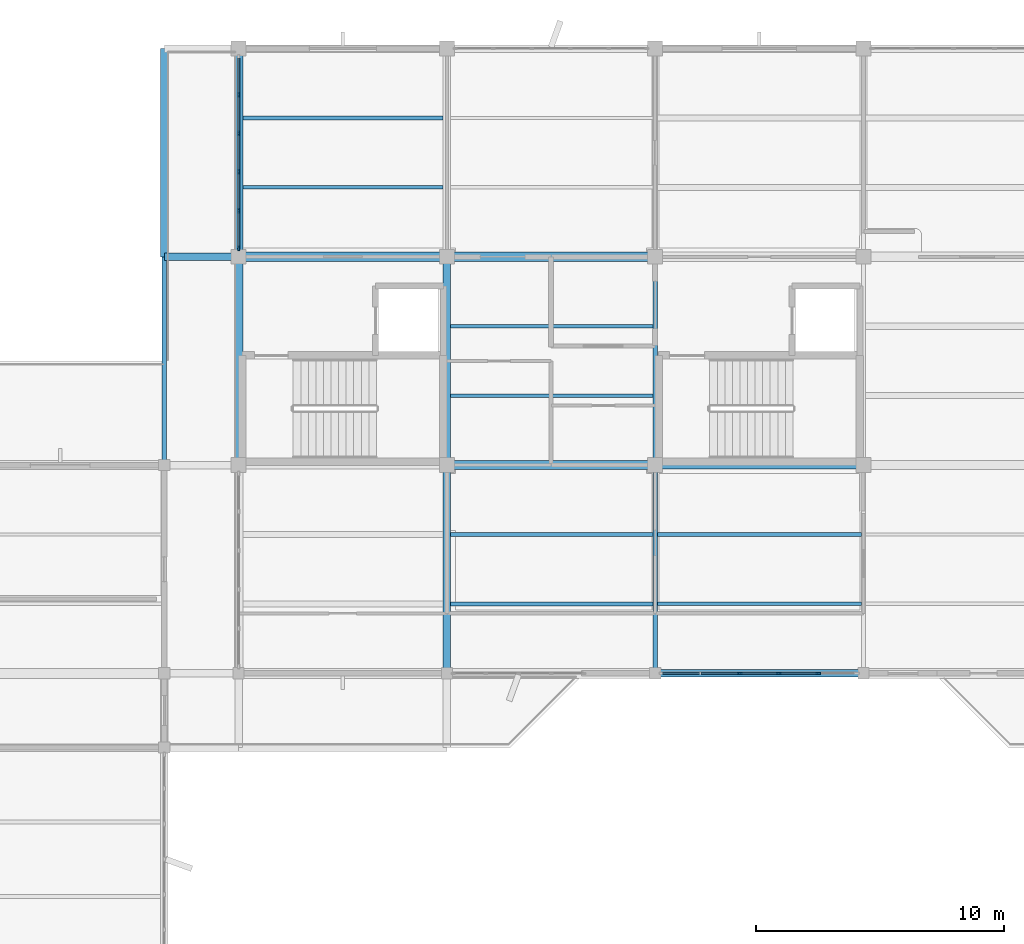
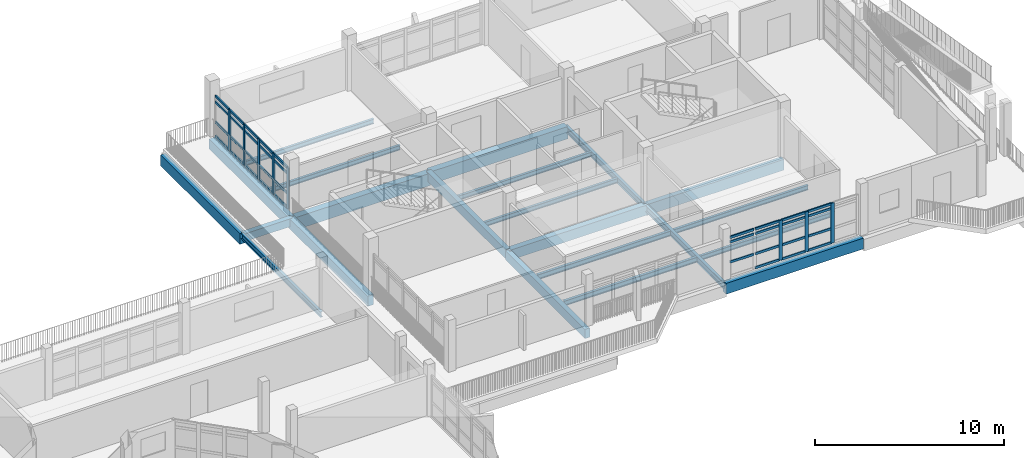
# One storey, part 11 of 33: 43 members, 22 beams, 2 elements without a shape of their own.
"""IFC4 building model written with IfcOpenShell, lengths in metres."""

from ifc_helpers import new_model, si_unit, direction, frame, origin, origin_2d, place, context, subcontext, project, spatial, rectangle, i_section, extrude, material, material_profile, profile_set, type_object, element, aggregate, save


model = new_model("IFC4")

# Units and contexts
model_context = context("Model", 3, precision=1e-05, world=origin(), true_north=direction((0.0, 1.0)))
body_context = subcontext(model_context, "Body", "Model", "MODEL_VIEW")
ifc_project = project(units=[si_unit("LENGTHUNIT", "METRE"), si_unit("AREAUNIT", "SQUARE_METRE"), si_unit("VOLUMEUNIT", "CUBIC_METRE"), si_unit("PLANEANGLEUNIT", "RADIAN"), si_unit("MASSUNIT", "GRAM", prefix="KILO")], contexts=[model_context])

# Site, building, storey
site_placement = place(None, origin())
site = spatial("IfcSite", under=ifc_project, at=site_placement, CompositionType="ELEMENT")
building_placement = place(site_placement, origin())
building = spatial("IfcBuilding", under=site, at=building_placement, Name="Vanh Quang Courtyard School", CompositionType="ELEMENT")
storey_placement = place(building_placement, frame((0.0, 0.0, 18.60009765625)))
storey = spatial("IfcBuildingStorey", under=building, at=storey_placement, Name="L05", CompositionType="ELEMENT", Elevation=18.60009765625)

# Beams
ifc_material_1 = material(Name="Concrete C35/45", Category="concrete")
ifc_material_profile_1 = material_profile(ifc_material_1, rectangle(XDim=0.300048828125, YDim=0.5, at=origin_2d()), Name="RC-BM 300x500")
ifc_profile_set_1 = profile_set([ifc_material_profile_1], Name="Concrete C35/45")
beam_type_1 = type_object("IfcBeamType", Name="BM-RC-300x500", PredefinedType="BEAM", material=ifc_profile_set_1)
beam_1_placement = place(storey_placement, frame((74.39990234375, 88.199951171875, -0.570068359375), z_axis=(1.0, 0.0, 0.0), x_axis=(0.0, 1.0, 0.0)))
element("IfcBeam", 1, at=beam_1_placement, inside=storey, type_object=beam_type_1, Name="Beam B-08 (L05)", PredefinedType="BEAM", context=body_context, shape_type="SweptSolid", body=[
    extrude(rectangle(XDim=0.300048828125, YDim=0.5, at=origin_2d()), origin(), (0.0, 0.0, 1.0), 3.0),
])
ifc_material_profile_2 = material_profile(ifc_material_1, rectangle(XDim=0.300048828125, YDim=0.60009765625, at=origin_2d()), Name="RC-BM 300x600")
ifc_profile_set_2 = profile_set([ifc_material_profile_2], Name="Concrete C35/45")
beam_type_2 = type_object("IfcBeamType", Name="BM-RC-300x600", PredefinedType="BEAM", material=ifc_profile_set_2)
beam_2_placement = place(storey_placement, frame((85.800048828125, 71.39990234375, -0.6201171875), z_axis=(0.0, 1.0, 0.0), x_axis=(-1.0, 0.0, 0.0)))
element("IfcBeam", 2, at=beam_2_placement, inside=storey, type_object=beam_type_2, Name="Beam B-06 (L05)", PredefinedType="BEAM", context=body_context, shape_type="SweptSolid", body=[
    extrude(rectangle(XDim=0.300048828125, YDim=0.60009765625, at=origin_2d()), origin(), (0.0, 0.0, 1.0), 8.400146484375),
])
beam_3_placement = place(storey_placement, frame((85.800048828125, 79.800048828125, -0.550048828125), z_axis=(0.0, 1.0, 0.0), x_axis=(-1.0, 0.0, 0.0)))
element("IfcBeam", 3, at=beam_3_placement, inside=storey, type_object=beam_type_2, Name="Beam B-06 (L05)", PredefinedType="BEAM", context=body_context, shape_type="SweptSolid", body=[
    extrude(rectangle(XDim=0.300048828125, YDim=0.60009765625, at=origin_2d()), origin(), (0.0, 0.0, 1.0), 8.39990234375),
])
ifc_material_profile_3 = material_profile(ifc_material_1, rectangle(XDim=0.35009765625, YDim=0.64990234375, at=origin_2d()), Name="RC-BM 350x650")
ifc_profile_set_3 = profile_set([ifc_material_profile_3], Name="Concrete C35/45")
beam_type_3 = type_object("IfcBeamType", Name="BM-RC-350x650", PredefinedType="BEAM", material=ifc_profile_set_3)
for number, where, z_axis, x_axis, name in (
    (4, (85.800048828125, 79.800048828125, -0.5751953125), (1.0, 0.0, 0.0), (0.0, 1.0, 0.0), "Beam B-05 (L05)"),
    (5, (77.39990234375, 79.800048828125, -0.64501953125), (0.0, 1.0, 0.0), (-1.0, 0.0, 0.0), "Beam B-05 (L05)"),
):
    element("IfcBeam", number, at=place(storey_placement, frame(where, z_axis=z_axis, x_axis=x_axis)), inside=storey, type_object=beam_type_3, Name=name, PredefinedType="BEAM", context=body_context, shape_type="SweptSolid", body=[
        extrude(rectangle(XDim=0.35009765625, YDim=0.64990234375, at=origin_2d()), origin(), (0.0, 0.0, 1.0), 8.39990234375),
    ])
beam_4_placement = place(storey_placement, frame((77.39990234375, 88.199951171875, -0.64501953125), z_axis=(0.0, 1.0, 0.0), x_axis=(-1.0, 0.0, 0.0)))
element("IfcBeam", 6, at=beam_4_placement, inside=storey, type_object=beam_type_3, Name="Beam B-05 (L05)", PredefinedType="BEAM", context=body_context, shape_type="SweptSolid", body=[
    extrude(rectangle(XDim=0.35009765625, YDim=0.64990234375, at=origin_2d()), origin(), (0.0, 0.0, 1.0), 8.400146484375),
])
ifc_material_profile_4 = material_profile(ifc_material_1, rectangle(XDim=0.39990234375, YDim=0.800048828125, at=origin_2d()), Name="RC-BM 400x800")
ifc_profile_set_4 = profile_set([ifc_material_profile_4], Name="Concrete C35/45")
beam_type_4 = type_object("IfcBeamType", Name="BM-RC-400x800", PredefinedType="BEAM", material=ifc_profile_set_4)
beam_5_placement = place(storey_placement, frame((77.39990234375, 88.199951171875, -0.72021484375), z_axis=(1.0, 0.0, 0.0), x_axis=(0.0, 1.0, 0.0)))
element("IfcBeam", 7, at=beam_5_placement, inside=storey, type_object=beam_type_4, Name="Beam B-02 (L05)", PredefinedType="BEAM", context=body_context, shape_type="SweptSolid", body=[
    extrude(rectangle(XDim=0.39990234375, YDim=0.800048828125, at=origin_2d()), origin(), (0.0, 0.0, 1.0), 8.400146484375),
])
beam_6_placement = place(storey_placement, frame((85.800048828125, 88.199951171875, -0.650146484375), z_axis=(1.0, 0.0, 0.0), x_axis=(0.0, 1.0, 0.0)))
element("IfcBeam", 8, at=beam_6_placement, inside=storey, type_object=beam_type_4, Name="Beam B-02 (L05)", PredefinedType="BEAM", context=body_context, shape_type="SweptSolid", body=[
    extrude(rectangle(XDim=0.39990234375, YDim=0.800048828125, at=origin_2d()), origin(), (0.0, 0.0, 1.0), 8.39990234375),
])
ifc_material_profile_5 = material_profile(ifc_material_1, rectangle(XDim=0.300048828125, YDim=0.699951171875, at=origin_2d()), Name="RC-SP 300x700")
ifc_profile_set_5 = profile_set([ifc_material_profile_5], Name="Concrete C35/45")
beam_type_5 = type_object("IfcBeamType", Name="BM-SP-300x700", PredefinedType="SPANDREL", material=ifc_profile_set_5)
for number, where, z_axis, x_axis, name in (
    (9, (94.199951171875, 71.39990234375, -0.60009765625), (1.0, 0.0, 0.0), (0.0, 1.0, 0.0), "Beam BS-01 (L05)"),
    (10, (94.199951171875, 79.800048828125, -0.60009765625), (1.0, 0.0, 0.0), (0.0, 1.0, 0.0), "Beam BS-01 (L05)"),
    (11, (74.39990234375, 88.199951171875, -0.670166015625), (0.0, 1.0, 0.0), (-1.0, 0.0, 0.0), "Beam BS-01 (L05)"),
):
    element("IfcBeam", number, at=place(storey_placement, frame(where, z_axis=z_axis, x_axis=x_axis)), inside=storey, type_object=beam_type_5, Name=name, PredefinedType="SPANDREL", context=body_context, shape_type="SweptSolid", body=[
        extrude(rectangle(XDim=0.300048828125, YDim=0.699951171875, at=origin_2d()), origin(), (0.0, 0.0, 1.0), 8.400146484375),
    ])
ifc_material_2 = material(Name="Structural steel EN 10025-2 S355J2", Category="steel")
ifc_material_profile_6 = material_profile(ifc_material_2, i_section(OverallWidth=0.169921875, OverallDepth=0.360107421875, WebThickness=0.008056640625, FlangeThickness=0.0126953125, FilletRadius=0.01806640625, at=origin_2d()), Name="IPE 360")
ifc_profile_set_6 = profile_set([ifc_material_profile_6], Name="Structural steel EN 10025-2 S355J2")
beam_type_6 = type_object("IfcBeamType", Name="BM-STL-IPE360", PredefinedType="BEAM", material=ifc_profile_set_6)
beam_7_placement = place(storey_placement, frame((74.39990234375, 79.800048828125, -0.5), z_axis=(0.0, 1.0, 0.0), x_axis=(-1.0, 0.0, 0.0)))
element("IfcBeam", 12, at=beam_7_placement, inside=storey, type_object=beam_type_6, Name="Beam SB-06 (L05)", PredefinedType="BEAM", context=body_context, shape_type="SweptSolid", body=[
    extrude(i_section(OverallWidth=0.169921875, OverallDepth=0.360107421875, WebThickness=0.008056640625, FlangeThickness=0.0126953125, FilletRadius=0.01806640625, at=origin_2d()), origin(), (0.0, 0.0, 1.0), 8.39990234375),
])
ifc_material_profile_7 = material_profile(ifc_material_2, i_section(OverallWidth=0.179931640625, OverallDepth=0.39990234375, WebThickness=0.008544921875, FlangeThickness=0.013427734375, FilletRadius=0.02099609375, at=origin_2d()), Name="IPE 400")
ifc_profile_set_7 = profile_set([ifc_material_profile_7], Name="Structural steel EN 10025-2 S355J2")
beam_type_7 = type_object("IfcBeamType", Name="BM-STL-IPE400", PredefinedType="BEAM", material=ifc_profile_set_7)
beam_8_placement = place(storey_placement, frame((94.199951171875, 71.39990234375, -0.4501953125), z_axis=(0.0, 1.0, 0.0), x_axis=(-1.0, 0.0, 0.0)))
element("IfcBeam", 13, at=beam_8_placement, inside=storey, type_object=beam_type_7, Name="Beam SB-05 (L05)", PredefinedType="BEAM", context=body_context, shape_type="SweptSolid", body=[
    extrude(i_section(OverallWidth=0.179931640625, OverallDepth=0.39990234375, WebThickness=0.008544921875, FlangeThickness=0.013427734375, FilletRadius=0.02099609375, at=origin_2d()), origin(), (0.0, 0.0, 1.0), 8.400146484375),
])
beam_9_placement = place(storey_placement, frame((94.199951171875, 79.800048828125, -0.4501953125), z_axis=(0.0, 1.0, 0.0), x_axis=(-1.0, 0.0, 0.0)))
element("IfcBeam", 14, at=beam_9_placement, inside=storey, type_object=beam_type_7, Name="Beam SB-05 (L05)", PredefinedType="BEAM", context=body_context, shape_type="SweptSolid", body=[
    extrude(i_section(OverallWidth=0.179931640625, OverallDepth=0.39990234375, WebThickness=0.008544921875, FlangeThickness=0.013427734375, FilletRadius=0.02099609375, at=origin_2d()), origin(), (0.0, 0.0, 1.0), 8.39990234375),
])

# Curtain wall, members
ifc_material_3 = material(Name="Thermally broken aluminium unitised curtain wall", Category="aluminium")
curtain_wall_type_1 = type_object("IfcCurtainWallType", Name="CW-SYS-19", PredefinedType="NOTDEFINED", material=ifc_material_3)
curtain_wall_1_placement = place(storey_placement, origin())
curtain_wall_1 = element("IfcCurtainWall", 15, at=curtain_wall_1_placement, inside=storey, type_object=curtain_wall_type_1, Name="Curtain Wall CW-19 (L05)", PredefinedType="NOTDEFINED")
ifc_material_4 = material(Name="Anodised aluminium 6063-T6", Category="aluminium")
ifc_material_profile_8 = material_profile(ifc_material_4, rectangle(XDim=0.080078125, YDim=0.199951171875, at=origin_2d()), Name="ALU-MUL 80x200")
ifc_profile_set_8 = profile_set([ifc_material_profile_8], Name="Anodised aluminium 6063-T6")
member_type_1 = type_object("IfcMemberType", Name="CW-MUL-80x200", PredefinedType="MULLION", material=ifc_profile_set_8)
member_1_placement = place(storey_placement, frame((100.7802734375, 71.39990234375, 0.0), z_axis=(0.0, 0.0, 1.0), x_axis=(0.0, -1.0, 0.0)))
member_1 = element("IfcMember", 16, at=member_1_placement, type_object=member_type_1, Name="CW-19 mullion 2", PredefinedType="MULLION", context=body_context, shape_type="SweptSolid", body=[
    extrude(rectangle(XDim=0.080078125, YDim=0.199951171875, at=origin_2d()), origin(), (0.0, 0.0, 1.0), 2.579833984375),
])
member_2_placement = place(storey_placement, frame((99.193359375, 71.39990234375, 0.0), z_axis=(0.0, 0.0, 1.0), x_axis=(0.0, -1.0, 0.0)))
member_2 = element("IfcMember", 17, at=member_2_placement, type_object=member_type_1, Name="CW-19 mullion 3", PredefinedType="MULLION", context=body_context, shape_type="SweptSolid", body=[
    extrude(rectangle(XDim=0.080078125, YDim=0.199951171875, at=origin_2d()), origin(), (0.0, 0.0, 1.0), 2.579833984375),
])
member_3_placement = place(storey_placement, frame((97.606689453125, 71.39990234375, 0.0), z_axis=(0.0, 0.0, 1.0), x_axis=(0.0, -1.0, 0.0)))
member_3 = element("IfcMember", 18, at=member_3_placement, type_object=member_type_1, Name="CW-19 mullion 4", PredefinedType="MULLION", context=body_context, shape_type="SweptSolid", body=[
    extrude(rectangle(XDim=0.080078125, YDim=0.199951171875, at=origin_2d()), origin(), (0.0, 0.0, 1.0), 2.579833984375),
])

curtain_wall_type_2 = type_object("IfcCurtainWallType", Name="CW-SYS-24", PredefinedType="NOTDEFINED", material=ifc_material_3)
curtain_wall_2_placement = place(storey_placement, origin())
curtain_wall_2 = element("IfcCurtainWall", 19, at=curtain_wall_2_placement, inside=storey, type_object=curtain_wall_type_2, Name="Curtain Wall CW-24 (L05)", PredefinedType="NOTDEFINED")
member_4_placement = place(storey_placement, frame((77.39990234375, 88.548095703125, 0.0), z_axis=(0.0, 0.0, 1.0), x_axis=(-1.0, 0.0, 0.0)))
member_4 = element("IfcMember", 20, at=member_4_placement, type_object=member_type_1, Name="CW-24 mullion 1", PredefinedType="MULLION", context=body_context, shape_type="SweptSolid", body=[
    extrude(rectangle(XDim=0.080078125, YDim=0.199951171875, at=origin_2d()), origin(), (0.0, 0.0, 1.0), 2.64990234375),
])
member_5_placement = place(storey_placement, frame((77.39990234375, 90.064697265625, 0.0), z_axis=(0.0, 0.0, 1.0), x_axis=(-1.0, 0.0, 0.0)))
member_5 = element("IfcMember", 21, at=member_5_placement, type_object=member_type_1, Name="CW-24 mullion 2", PredefinedType="MULLION", context=body_context, shape_type="SweptSolid", body=[
    extrude(rectangle(XDim=0.080078125, YDim=0.199951171875, at=origin_2d()), origin(), (0.0, 0.0, 1.0), 2.64990234375),
])
member_6_placement = place(storey_placement, frame((77.39990234375, 91.62158203125, 0.0), z_axis=(0.0, 0.0, 1.0), x_axis=(-1.0, 0.0, 0.0)))
member_6 = element("IfcMember", 22, at=member_6_placement, type_object=member_type_1, Name="CW-24 mullion 3", PredefinedType="MULLION", context=body_context, shape_type="SweptSolid", body=[
    extrude(rectangle(XDim=0.080078125, YDim=0.199951171875, at=origin_2d()), origin(), (0.0, 0.0, 1.0), 2.64990234375),
])
member_7_placement = place(storey_placement, frame((77.39990234375, 93.178466796875, 0.0), z_axis=(0.0, 0.0, 1.0), x_axis=(-1.0, 0.0, 0.0)))
member_7 = element("IfcMember", 23, at=member_7_placement, type_object=member_type_1, Name="CW-24 mullion 4", PredefinedType="MULLION", context=body_context, shape_type="SweptSolid", body=[
    extrude(rectangle(XDim=0.080078125, YDim=0.199951171875, at=origin_2d()), origin(), (0.0, 0.0, 1.0), 2.64990234375),
])
member_8_placement = place(storey_placement, frame((77.39990234375, 94.735107421875, 0.0), z_axis=(0.0, 0.0, 1.0), x_axis=(-1.0, 0.0, 0.0)))
member_8 = element("IfcMember", 24, at=member_8_placement, type_object=member_type_1, Name="CW-24 mullion 5", PredefinedType="MULLION", context=body_context, shape_type="SweptSolid", body=[
    extrude(rectangle(XDim=0.080078125, YDim=0.199951171875, at=origin_2d()), origin(), (0.0, 0.0, 1.0), 2.64990234375),
])

# Member
ifc_material_profile_9 = material_profile(ifc_material_4, rectangle(XDim=0.080078125, YDim=0.14990234375, at=origin_2d()), Name="ALU-TRN 80x150")
ifc_profile_set_9 = profile_set([ifc_material_profile_9], Name="Anodised aluminium 6063-T6")
member_type_2 = type_object("IfcMemberType", Name="CW-TRN-80x150", PredefinedType="USERDEFINED", material=ifc_profile_set_9)
member_9_placement = place(storey_placement, frame((100.740234375, 71.39990234375, 0.039794921875), z_axis=(-1.0, 0.0, 0.0), x_axis=(0.0, -1.0, 0.0)))
member_9 = element("IfcMember", 25, at=member_9_placement, type_object=member_type_2, Name="CW-19 transom 2.1", ObjectType="TRANSOM", PredefinedType="USERDEFINED", context=body_context, shape_type="SweptSolid", body=[
    extrude(rectangle(XDim=0.080078125, YDim=0.14990234375, at=origin_2d()), origin(), (0.0, 0.0, 1.0), 1.5068359375),
])

member_10_placement = place(storey_placement, frame((100.740234375, 71.39990234375, 0.949951171875), z_axis=(-1.0, 0.0, 0.0), x_axis=(0.0, -1.0, 0.0)))
member_10 = element("IfcMember", 26, at=member_10_placement, type_object=member_type_2, Name="CW-19 transom 2.2", ObjectType="TRANSOM", PredefinedType="USERDEFINED", context=body_context, shape_type="SweptSolid", body=[
    extrude(rectangle(XDim=0.080078125, YDim=0.14990234375, at=origin_2d()), origin(), (0.0, 0.0, 1.0), 1.5068359375),
])

member_11_placement = place(storey_placement, frame((100.740234375, 71.39990234375, 2.25), z_axis=(-1.0, 0.0, 0.0), x_axis=(0.0, -1.0, 0.0)))
member_11 = element("IfcMember", 27, at=member_11_placement, type_object=member_type_2, Name="CW-19 transom 2.3", ObjectType="TRANSOM", PredefinedType="USERDEFINED", context=body_context, shape_type="SweptSolid", body=[
    extrude(rectangle(XDim=0.080078125, YDim=0.14990234375, at=origin_2d()), origin(), (0.0, 0.0, 1.0), 1.5068359375),
])

member_12_placement = place(storey_placement, frame((100.740234375, 71.39990234375, 2.539794921875), z_axis=(-1.0, 0.0, 0.0), x_axis=(0.0, -1.0, 0.0)))
member_12 = element("IfcMember", 28, at=member_12_placement, type_object=member_type_2, Name="CW-19 transom 2.4", ObjectType="TRANSOM", PredefinedType="USERDEFINED", context=body_context, shape_type="SweptSolid", body=[
    extrude(rectangle(XDim=0.080078125, YDim=0.14990234375, at=origin_2d()), origin(), (0.0, 0.0, 1.0), 1.5068359375),
])

member_13_placement = place(storey_placement, frame((99.1533203125, 71.39990234375, 0.039794921875), z_axis=(-1.0, 0.0, 0.0), x_axis=(0.0, -1.0, 0.0)))
member_13 = element("IfcMember", 29, at=member_13_placement, type_object=member_type_2, Name="CW-19 transom 3.1", ObjectType="TRANSOM", PredefinedType="USERDEFINED", context=body_context, shape_type="SweptSolid", body=[
    extrude(rectangle(XDim=0.080078125, YDim=0.14990234375, at=origin_2d()), origin(), (0.0, 0.0, 1.0), 1.5068359375),
])

member_14_placement = place(storey_placement, frame((99.1533203125, 71.39990234375, 0.949951171875), z_axis=(-1.0, 0.0, 0.0), x_axis=(0.0, -1.0, 0.0)))
member_14 = element("IfcMember", 30, at=member_14_placement, type_object=member_type_2, Name="CW-19 transom 3.2", ObjectType="TRANSOM", PredefinedType="USERDEFINED", context=body_context, shape_type="SweptSolid", body=[
    extrude(rectangle(XDim=0.080078125, YDim=0.14990234375, at=origin_2d()), origin(), (0.0, 0.0, 1.0), 1.5068359375),
])

member_15_placement = place(storey_placement, frame((99.1533203125, 71.39990234375, 2.25), z_axis=(-1.0, 0.0, 0.0), x_axis=(0.0, -1.0, 0.0)))
member_15 = element("IfcMember", 31, at=member_15_placement, type_object=member_type_2, Name="CW-19 transom 3.3", ObjectType="TRANSOM", PredefinedType="USERDEFINED", context=body_context, shape_type="SweptSolid", body=[
    extrude(rectangle(XDim=0.080078125, YDim=0.14990234375, at=origin_2d()), origin(), (0.0, 0.0, 1.0), 1.5068359375),
])

member_16_placement = place(storey_placement, frame((99.1533203125, 71.39990234375, 2.539794921875), z_axis=(-1.0, 0.0, 0.0), x_axis=(0.0, -1.0, 0.0)))
member_16 = element("IfcMember", 32, at=member_16_placement, type_object=member_type_2, Name="CW-19 transom 3.4", ObjectType="TRANSOM", PredefinedType="USERDEFINED", context=body_context, shape_type="SweptSolid", body=[
    extrude(rectangle(XDim=0.080078125, YDim=0.14990234375, at=origin_2d()), origin(), (0.0, 0.0, 1.0), 1.5068359375),
])

member_17_placement = place(storey_placement, frame((97.566650390625, 71.39990234375, 0.039794921875), z_axis=(-1.0, 0.0, 0.0), x_axis=(0.0, -1.0, 0.0)))
member_17 = element("IfcMember", 33, at=member_17_placement, type_object=member_type_2, Name="CW-19 transom 4.1", ObjectType="TRANSOM", PredefinedType="USERDEFINED", context=body_context, shape_type="SweptSolid", body=[
    extrude(rectangle(XDim=0.080078125, YDim=0.14990234375, at=origin_2d()), origin(), (0.0, 0.0, 1.0), 1.5068359375),
])

member_18_placement = place(storey_placement, frame((97.566650390625, 71.39990234375, 0.949951171875), z_axis=(-1.0, 0.0, 0.0), x_axis=(0.0, -1.0, 0.0)))
member_18 = element("IfcMember", 34, at=member_18_placement, type_object=member_type_2, Name="CW-19 transom 4.2", ObjectType="TRANSOM", PredefinedType="USERDEFINED", context=body_context, shape_type="SweptSolid", body=[
    extrude(rectangle(XDim=0.080078125, YDim=0.14990234375, at=origin_2d()), origin(), (0.0, 0.0, 1.0), 1.5068359375),
])

member_19_placement = place(storey_placement, frame((97.566650390625, 71.39990234375, 2.25), z_axis=(-1.0, 0.0, 0.0), x_axis=(0.0, -1.0, 0.0)))
member_19 = element("IfcMember", 35, at=member_19_placement, type_object=member_type_2, Name="CW-19 transom 4.3", ObjectType="TRANSOM", PredefinedType="USERDEFINED", context=body_context, shape_type="SweptSolid", body=[
    extrude(rectangle(XDim=0.080078125, YDim=0.14990234375, at=origin_2d()), origin(), (0.0, 0.0, 1.0), 1.5068359375),
])

member_20_placement = place(storey_placement, frame((97.566650390625, 71.39990234375, 2.539794921875), z_axis=(-1.0, 0.0, 0.0), x_axis=(0.0, -1.0, 0.0)))
member_20 = element("IfcMember", 36, at=member_20_placement, type_object=member_type_2, Name="CW-19 transom 4.4", ObjectType="TRANSOM", PredefinedType="USERDEFINED", context=body_context, shape_type="SweptSolid", body=[
    extrude(rectangle(XDim=0.080078125, YDim=0.14990234375, at=origin_2d()), origin(), (0.0, 0.0, 1.0), 1.5068359375),
])

member_21_placement = place(storey_placement, frame((95.979736328125, 71.39990234375, 0.949951171875), z_axis=(-1.0, 0.0, 0.0), x_axis=(0.0, -1.0, 0.0)))
member_21 = element("IfcMember", 37, at=member_21_placement, type_object=member_type_2, Name="CW-19 transom 5.2", ObjectType="TRANSOM", PredefinedType="USERDEFINED", context=body_context, shape_type="SweptSolid", body=[
    extrude(rectangle(XDim=0.080078125, YDim=0.14990234375, at=origin_2d()), origin(), (0.0, 0.0, 1.0), 1.466796875),
])

member_22_placement = place(storey_placement, frame((95.979736328125, 71.39990234375, 2.25), z_axis=(-1.0, 0.0, 0.0), x_axis=(0.0, -1.0, 0.0)))
member_22 = element("IfcMember", 38, at=member_22_placement, type_object=member_type_2, Name="CW-19 transom 5.3", ObjectType="TRANSOM", PredefinedType="USERDEFINED", context=body_context, shape_type="SweptSolid", body=[
    extrude(rectangle(XDim=0.080078125, YDim=0.14990234375, at=origin_2d()), origin(), (0.0, 0.0, 1.0), 1.466796875),
])

member_23_placement = place(storey_placement, frame((95.979736328125, 71.39990234375, 2.539794921875), z_axis=(-1.0, 0.0, 0.0), x_axis=(0.0, -1.0, 0.0)))
member_23 = element("IfcMember", 39, at=member_23_placement, type_object=member_type_2, Name="CW-19 transom 5.4", ObjectType="TRANSOM", PredefinedType="USERDEFINED", context=body_context, shape_type="SweptSolid", body=[
    extrude(rectangle(XDim=0.080078125, YDim=0.14990234375, at=origin_2d()), origin(), (0.0, 0.0, 1.0), 1.466796875),
])

aggregate(curtain_wall_1, [member_1, member_2, member_3, member_9, member_10, member_11, member_12, member_13, member_14, member_15, member_16, member_17, member_18, member_19, member_20, member_21, member_22, member_23])

member_24_placement = place(storey_placement, frame((77.39990234375, 88.587890625, 0.039794921875), z_axis=(0.0, 1.0, 0.0), x_axis=(-1.0, 0.0, 0.0)))
member_24 = element("IfcMember", 40, at=member_24_placement, type_object=member_type_2, Name="CW-24 transom 1.1", ObjectType="TRANSOM", PredefinedType="USERDEFINED", context=body_context, shape_type="SweptSolid", body=[
    extrude(rectangle(XDim=0.080078125, YDim=0.14990234375, at=origin_2d()), origin(), (0.0, 0.0, 1.0), 1.43701171875),
])

member_25_placement = place(storey_placement, frame((77.39990234375, 88.587890625, 0.949951171875), z_axis=(0.0, 1.0, 0.0), x_axis=(-1.0, 0.0, 0.0)))
member_25 = element("IfcMember", 41, at=member_25_placement, type_object=member_type_2, Name="CW-24 transom 1.2", ObjectType="TRANSOM", PredefinedType="USERDEFINED", context=body_context, shape_type="SweptSolid", body=[
    extrude(rectangle(XDim=0.080078125, YDim=0.14990234375, at=origin_2d()), origin(), (0.0, 0.0, 1.0), 1.43701171875),
])

member_26_placement = place(storey_placement, frame((77.39990234375, 88.587890625, 2.25), z_axis=(0.0, 1.0, 0.0), x_axis=(-1.0, 0.0, 0.0)))
member_26 = element("IfcMember", 42, at=member_26_placement, type_object=member_type_2, Name="CW-24 transom 1.3", ObjectType="TRANSOM", PredefinedType="USERDEFINED", context=body_context, shape_type="SweptSolid", body=[
    extrude(rectangle(XDim=0.080078125, YDim=0.14990234375, at=origin_2d()), origin(), (0.0, 0.0, 1.0), 1.43701171875),
])

member_27_placement = place(storey_placement, frame((77.39990234375, 88.587890625, 2.60986328125), z_axis=(0.0, 1.0, 0.0), x_axis=(-1.0, 0.0, 0.0)))
member_27 = element("IfcMember", 43, at=member_27_placement, type_object=member_type_2, Name="CW-24 transom 1.4", ObjectType="TRANSOM", PredefinedType="USERDEFINED", context=body_context, shape_type="SweptSolid", body=[
    extrude(rectangle(XDim=0.080078125, YDim=0.14990234375, at=origin_2d()), origin(), (0.0, 0.0, 1.0), 1.43701171875),
])

member_28_placement = place(storey_placement, frame((77.39990234375, 90.104736328125, 0.039794921875), z_axis=(0.0, 1.0, 0.0), x_axis=(-1.0, 0.0, 0.0)))
member_28 = element("IfcMember", 44, at=member_28_placement, type_object=member_type_2, Name="CW-24 transom 2.1", ObjectType="TRANSOM", PredefinedType="USERDEFINED", context=body_context, shape_type="SweptSolid", body=[
    extrude(rectangle(XDim=0.080078125, YDim=0.14990234375, at=origin_2d()), origin(), (0.0, 0.0, 1.0), 1.476806640625),
])

member_29_placement = place(storey_placement, frame((77.39990234375, 90.104736328125, 0.949951171875), z_axis=(0.0, 1.0, 0.0), x_axis=(-1.0, 0.0, 0.0)))
member_29 = element("IfcMember", 45, at=member_29_placement, type_object=member_type_2, Name="CW-24 transom 2.2", ObjectType="TRANSOM", PredefinedType="USERDEFINED", context=body_context, shape_type="SweptSolid", body=[
    extrude(rectangle(XDim=0.080078125, YDim=0.14990234375, at=origin_2d()), origin(), (0.0, 0.0, 1.0), 1.476806640625),
])

member_30_placement = place(storey_placement, frame((77.39990234375, 90.104736328125, 2.25), z_axis=(0.0, 1.0, 0.0), x_axis=(-1.0, 0.0, 0.0)))
member_30 = element("IfcMember", 46, at=member_30_placement, type_object=member_type_2, Name="CW-24 transom 2.3", ObjectType="TRANSOM", PredefinedType="USERDEFINED", context=body_context, shape_type="SweptSolid", body=[
    extrude(rectangle(XDim=0.080078125, YDim=0.14990234375, at=origin_2d()), origin(), (0.0, 0.0, 1.0), 1.476806640625),
])

member_31_placement = place(storey_placement, frame((77.39990234375, 90.104736328125, 2.60986328125), z_axis=(0.0, 1.0, 0.0), x_axis=(-1.0, 0.0, 0.0)))
member_31 = element("IfcMember", 47, at=member_31_placement, type_object=member_type_2, Name="CW-24 transom 2.4", ObjectType="TRANSOM", PredefinedType="USERDEFINED", context=body_context, shape_type="SweptSolid", body=[
    extrude(rectangle(XDim=0.080078125, YDim=0.14990234375, at=origin_2d()), origin(), (0.0, 0.0, 1.0), 1.476806640625),
])

member_32_placement = place(storey_placement, frame((77.39990234375, 91.66162109375, 0.039794921875), z_axis=(0.0, 1.0, 0.0), x_axis=(-1.0, 0.0, 0.0)))
member_32 = element("IfcMember", 48, at=member_32_placement, type_object=member_type_2, Name="CW-24 transom 3.1", ObjectType="TRANSOM", PredefinedType="USERDEFINED", context=body_context, shape_type="SweptSolid", body=[
    extrude(rectangle(XDim=0.080078125, YDim=0.14990234375, at=origin_2d()), origin(), (0.0, 0.0, 1.0), 1.476806640625),
])

member_33_placement = place(storey_placement, frame((77.39990234375, 91.66162109375, 0.949951171875), z_axis=(0.0, 1.0, 0.0), x_axis=(-1.0, 0.0, 0.0)))
member_33 = element("IfcMember", 49, at=member_33_placement, type_object=member_type_2, Name="CW-24 transom 3.2", ObjectType="TRANSOM", PredefinedType="USERDEFINED", context=body_context, shape_type="SweptSolid", body=[
    extrude(rectangle(XDim=0.080078125, YDim=0.14990234375, at=origin_2d()), origin(), (0.0, 0.0, 1.0), 1.476806640625),
])

member_34_placement = place(storey_placement, frame((77.39990234375, 91.66162109375, 2.25), z_axis=(0.0, 1.0, 0.0), x_axis=(-1.0, 0.0, 0.0)))
member_34 = element("IfcMember", 50, at=member_34_placement, type_object=member_type_2, Name="CW-24 transom 3.3", ObjectType="TRANSOM", PredefinedType="USERDEFINED", context=body_context, shape_type="SweptSolid", body=[
    extrude(rectangle(XDim=0.080078125, YDim=0.14990234375, at=origin_2d()), origin(), (0.0, 0.0, 1.0), 1.476806640625),
])

member_35_placement = place(storey_placement, frame((77.39990234375, 91.66162109375, 2.60986328125), z_axis=(0.0, 1.0, 0.0), x_axis=(-1.0, 0.0, 0.0)))
member_35 = element("IfcMember", 51, at=member_35_placement, type_object=member_type_2, Name="CW-24 transom 3.4", ObjectType="TRANSOM", PredefinedType="USERDEFINED", context=body_context, shape_type="SweptSolid", body=[
    extrude(rectangle(XDim=0.080078125, YDim=0.14990234375, at=origin_2d()), origin(), (0.0, 0.0, 1.0), 1.476806640625),
])

member_36_placement = place(storey_placement, frame((77.39990234375, 93.218505859375, 0.039794921875), z_axis=(0.0, 1.0, 0.0), x_axis=(-1.0, 0.0, 0.0)))
member_36 = element("IfcMember", 52, at=member_36_placement, type_object=member_type_2, Name="CW-24 transom 4.1", ObjectType="TRANSOM", PredefinedType="USERDEFINED", context=body_context, shape_type="SweptSolid", body=[
    extrude(rectangle(XDim=0.080078125, YDim=0.14990234375, at=origin_2d()), origin(), (0.0, 0.0, 1.0), 1.476806640625),
])

member_37_placement = place(storey_placement, frame((77.39990234375, 93.218505859375, 0.949951171875), z_axis=(0.0, 1.0, 0.0), x_axis=(-1.0, 0.0, 0.0)))
member_37 = element("IfcMember", 53, at=member_37_placement, type_object=member_type_2, Name="CW-24 transom 4.2", ObjectType="TRANSOM", PredefinedType="USERDEFINED", context=body_context, shape_type="SweptSolid", body=[
    extrude(rectangle(XDim=0.080078125, YDim=0.14990234375, at=origin_2d()), origin(), (0.0, 0.0, 1.0), 1.476806640625),
])

member_38_placement = place(storey_placement, frame((77.39990234375, 93.218505859375, 2.25), z_axis=(0.0, 1.0, 0.0), x_axis=(-1.0, 0.0, 0.0)))
member_38 = element("IfcMember", 54, at=member_38_placement, type_object=member_type_2, Name="CW-24 transom 4.3", ObjectType="TRANSOM", PredefinedType="USERDEFINED", context=body_context, shape_type="SweptSolid", body=[
    extrude(rectangle(XDim=0.080078125, YDim=0.14990234375, at=origin_2d()), origin(), (0.0, 0.0, 1.0), 1.476806640625),
])

member_39_placement = place(storey_placement, frame((77.39990234375, 93.218505859375, 2.60986328125), z_axis=(0.0, 1.0, 0.0), x_axis=(-1.0, 0.0, 0.0)))
member_39 = element("IfcMember", 55, at=member_39_placement, type_object=member_type_2, Name="CW-24 transom 4.4", ObjectType="TRANSOM", PredefinedType="USERDEFINED", context=body_context, shape_type="SweptSolid", body=[
    extrude(rectangle(XDim=0.080078125, YDim=0.14990234375, at=origin_2d()), origin(), (0.0, 0.0, 1.0), 1.476806640625),
])

member_40_placement = place(storey_placement, frame((77.39990234375, 94.775146484375, 0.039794921875), z_axis=(0.0, 1.0, 0.0), x_axis=(-1.0, 0.0, 0.0)))
member_40 = element("IfcMember", 56, at=member_40_placement, type_object=member_type_2, Name="CW-24 transom 5.1", ObjectType="TRANSOM", PredefinedType="USERDEFINED", context=body_context, shape_type="SweptSolid", body=[
    extrude(rectangle(XDim=0.080078125, YDim=0.14990234375, at=origin_2d()), origin(), (0.0, 0.0, 1.0), 1.436767578125),
])

member_41_placement = place(storey_placement, frame((77.39990234375, 94.775146484375, 0.949951171875), z_axis=(0.0, 1.0, 0.0), x_axis=(-1.0, 0.0, 0.0)))
member_41 = element("IfcMember", 57, at=member_41_placement, type_object=member_type_2, Name="CW-24 transom 5.2", ObjectType="TRANSOM", PredefinedType="USERDEFINED", context=body_context, shape_type="SweptSolid", body=[
    extrude(rectangle(XDim=0.080078125, YDim=0.14990234375, at=origin_2d()), origin(), (0.0, 0.0, 1.0), 1.436767578125),
])

member_42_placement = place(storey_placement, frame((77.39990234375, 94.775146484375, 2.25), z_axis=(0.0, 1.0, 0.0), x_axis=(-1.0, 0.0, 0.0)))
member_42 = element("IfcMember", 58, at=member_42_placement, type_object=member_type_2, Name="CW-24 transom 5.3", ObjectType="TRANSOM", PredefinedType="USERDEFINED", context=body_context, shape_type="SweptSolid", body=[
    extrude(rectangle(XDim=0.080078125, YDim=0.14990234375, at=origin_2d()), origin(), (0.0, 0.0, 1.0), 1.436767578125),
])

member_43_placement = place(storey_placement, frame((77.39990234375, 94.775146484375, 2.60986328125), z_axis=(0.0, 1.0, 0.0), x_axis=(-1.0, 0.0, 0.0)))
member_43 = element("IfcMember", 59, at=member_43_placement, type_object=member_type_2, Name="CW-24 transom 5.4", ObjectType="TRANSOM", PredefinedType="USERDEFINED", context=body_context, shape_type="SweptSolid", body=[
    extrude(rectangle(XDim=0.080078125, YDim=0.14990234375, at=origin_2d()), origin(), (0.0, 0.0, 1.0), 1.436767578125),
])

aggregate(curtain_wall_2, [member_4, member_5, member_6, member_7, member_8, member_24, member_25, member_26, member_27, member_28, member_29, member_30, member_31, member_32, member_33, member_34, member_35, member_36, member_37, member_38, member_39, member_40, member_41, member_42, member_43])

# Beams
ifc_material_profile_10 = material_profile(ifc_material_2, i_section(OverallWidth=0.14990234375, OverallDepth=0.300048828125, WebThickness=0.007080078125, FlangeThickness=0.0107421875, FilletRadius=0.014892578125, at=origin_2d()), Name="IPE 300")
ifc_profile_set_10 = profile_set([ifc_material_profile_10], Name="Structural steel EN 10025-2 S355J2")
beam_type_8 = type_object("IfcBeamType", Name="JST-STL-IPE300", PredefinedType="JOIST", material=ifc_profile_set_10)
for number, where, z_axis, x_axis, name in (
    (60, (77.574951171875, 91.0, -0.400146484375), (1.0, 0.0, 0.0), (0.0, 1.0, 0.0), "Beam SJ-02 (L05)"),
    (61, (77.574951171875, 93.800048828125, -0.400146484375), (1.0, 0.0, 0.0), (0.0, 1.0, 0.0), "Beam SJ-02 (L05)"),
):
    element("IfcBeam", number, at=place(storey_placement, frame(where, z_axis=z_axis, x_axis=x_axis)), inside=storey, type_object=beam_type_8, Name=name, PredefinedType="JOIST", context=body_context, shape_type="SweptSolid", body=[
        extrude(i_section(OverallWidth=0.14990234375, OverallDepth=0.300048828125, WebThickness=0.007080078125, FlangeThickness=0.0107421875, FilletRadius=0.014892578125, at=origin_2d()), origin(), (0.0, 0.0, 1.0), 8.074951171875),
    ])
for number, where, z_axis, x_axis, name in (
    (62, (85.949951171875, 82.60009765625, -0.400146484375), (1.0, 0.0, 0.0), (0.0, 1.0, 0.0), "Beam SJ-02 (L05)"),
    (63, (85.949951171875, 85.39990234375, -0.400146484375), (1.0, 0.0, 0.0), (0.0, 1.0, 0.0), "Beam SJ-02 (L05)"),
):
    element("IfcBeam", number, at=place(storey_placement, frame(where, z_axis=z_axis, x_axis=x_axis)), inside=storey, type_object=beam_type_8, Name=name, PredefinedType="JOIST", context=body_context, shape_type="SweptSolid", body=[
        extrude(i_section(OverallWidth=0.14990234375, OverallDepth=0.300048828125, WebThickness=0.007080078125, FlangeThickness=0.0107421875, FilletRadius=0.014892578125, at=origin_2d()), origin(), (0.0, 0.0, 1.0), 8.16015625),
    ])
for number, where, z_axis, x_axis, name in (
    (64, (94.2900390625, 74.199951171875, -0.400146484375), (1.0, 0.0, 0.0), (0.0, 1.0, 0.0), "Beam SJ-02 (L05)"),
    (65, (94.2900390625, 77.0, -0.400146484375), (1.0, 0.0, 0.0), (0.0, 1.0, 0.0), "Beam SJ-02 (L05)"),
):
    element("IfcBeam", number, at=place(storey_placement, frame(where, z_axis=z_axis, x_axis=x_axis)), inside=storey, type_object=beam_type_8, Name=name, PredefinedType="JOIST", context=body_context, shape_type="SweptSolid", body=[
        extrude(i_section(OverallWidth=0.14990234375, OverallDepth=0.300048828125, WebThickness=0.007080078125, FlangeThickness=0.0107421875, FilletRadius=0.014892578125, at=origin_2d()), origin(), (0.0, 0.0, 1.0), 8.224853515625),
    ])
ifc_material_profile_11 = material_profile(ifc_material_2, i_section(OverallWidth=0.159912109375, OverallDepth=0.330078125, WebThickness=0.007568359375, FlangeThickness=0.011474609375, FilletRadius=0.01806640625, at=origin_2d()), Name="IPE 330")
ifc_profile_set_11 = profile_set([ifc_material_profile_11], Name="Structural steel EN 10025-2 S355J2")
beam_type_9 = type_object("IfcBeamType", Name="JST-STL-IPE330", PredefinedType="JOIST", material=ifc_profile_set_11)
for number, where, z_axis, x_axis, name in (
    (66, (85.949951171875, 74.199951171875, -0.4150390625), (1.0, 0.0, 0.0), (0.0, 1.0, 0.0), "Beam SJ-01 (L05)"),
    (67, (85.949951171875, 77.0, -0.4150390625), (1.0, 0.0, 0.0), (0.0, 1.0, 0.0), "Beam SJ-01 (L05)"),
):
    element("IfcBeam", number, at=place(storey_placement, frame(where, z_axis=z_axis, x_axis=x_axis)), inside=storey, type_object=beam_type_9, Name=name, PredefinedType="JOIST", context=body_context, shape_type="SweptSolid", body=[
        extrude(i_section(OverallWidth=0.159912109375, OverallDepth=0.330078125, WebThickness=0.007568359375, FlangeThickness=0.011474609375, FilletRadius=0.01806640625, at=origin_2d()), origin(), (0.0, 0.0, 1.0), 8.16015625),
    ])

save(model, "model.ifc")
